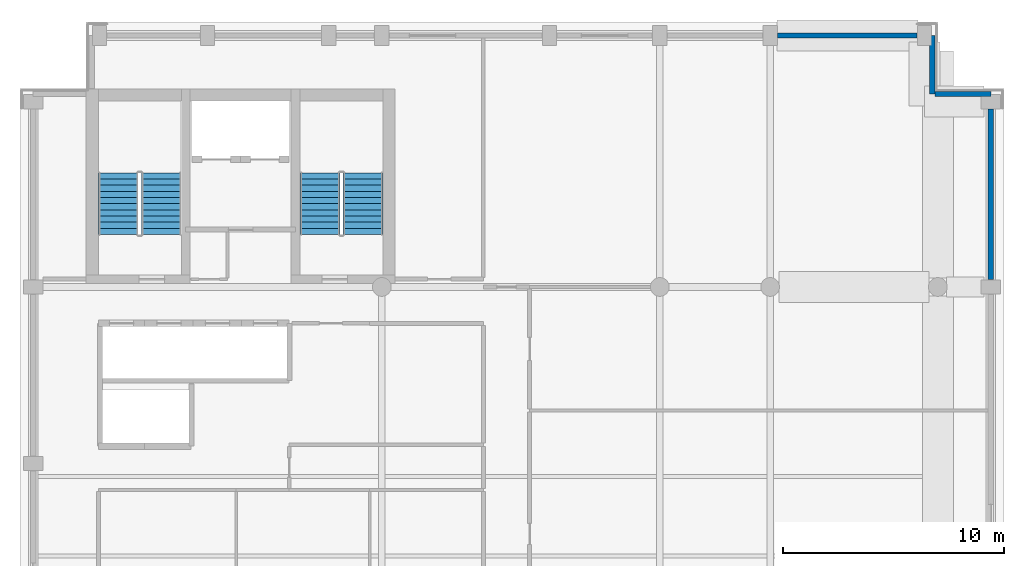
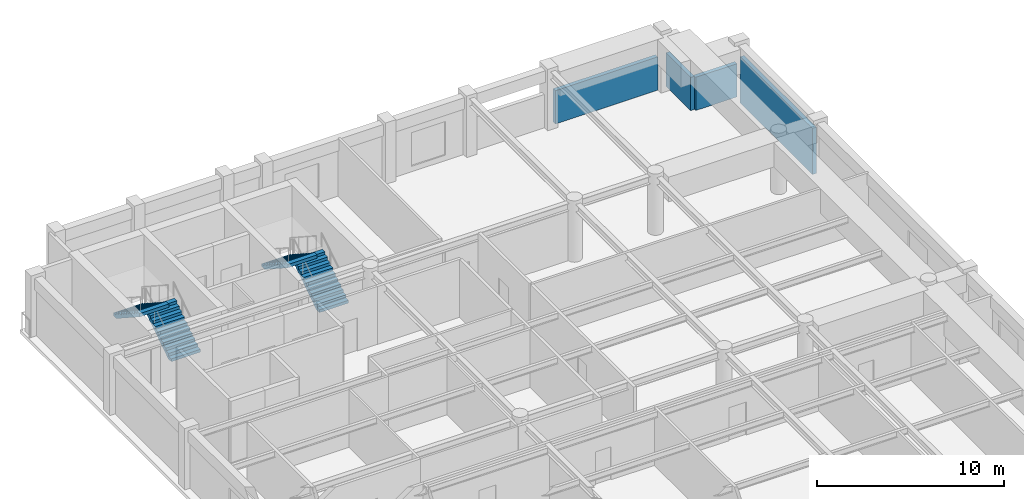
# One storey, part 5 of 8: 4 stair flights, 4 walls, 2 elements without a shape of their own.
"""IFC4 building model written with IfcOpenShell, lengths in metres."""

from ifc_helpers import new_model, si_unit, direction, frame, frame_2d, origin, place, context, subcontext, project, spatial, polyline, rectangle, outline, extrude, material, layer, layer_set, type_object, element, aggregate, save


model = new_model("IFC4")

# Units and contexts
model_context = context("Model", 3, precision=1e-05, world=origin(), true_north=direction((0.0, 1.0)))
body_context = subcontext(model_context, "Body", "Model", "MODEL_VIEW")
ifc_project = project(units=[si_unit("LENGTHUNIT", "METRE"), si_unit("AREAUNIT", "SQUARE_METRE"), si_unit("VOLUMEUNIT", "CUBIC_METRE"), si_unit("PLANEANGLEUNIT", "RADIAN"), si_unit("MASSUNIT", "GRAM", prefix="KILO")], contexts=[model_context])

# Site, building, storey
site_placement = place(None, origin())
site = spatial("IfcSite", under=ifc_project, at=site_placement, CompositionType="ELEMENT")
building_placement = place(site_placement, origin())
building = spatial("IfcBuilding", under=site, at=building_placement, Name="Sulina Concourse Tower", CompositionType="ELEMENT")
storey_placement = place(building_placement, frame((0.0, 0.0, 293.0)))
storey = spatial("IfcBuildingStorey", under=building, at=storey_placement, Name="L71", CompositionType="ELEMENT", Elevation=293.0)

# Walls
ifc_material_1 = material(Name="Precast concrete C50/60", Category="concrete")
ifc_layer = layer(ifc_material_1, 0.239990234375)
ifc_layer_set = layer_set([ifc_layer], Name="Precast concrete C50/60")
wall_type = type_object("IfcWallType", Name="Crown Precast Masonry-Frame Facade Wall 240mm", PredefinedType="SOLIDWALL", material=ifc_layer_set)
wall_1_placement = place(storey_placement, frame((34.344970703125, 45.39990234375, 0.0), z_axis=(0.0, 0.0, 1.0), x_axis=(1.0, 0.0, 0.0)))
element("IfcWall", 1, at=wall_1_placement, inside=storey, type_object=wall_type, Name="L71 exterior precast wall N7", PredefinedType="SOLIDWALL", context=body_context, shape_type="SweptSolid", body=[
    extrude(rectangle(XDim=6.31005859375, YDim=0.239990234375, at=frame_2d((3.155029296875, 0.0))), origin(), (0.0, 0.0, 1.0), 2.175048828125),
])
wall_2_placement = place(storey_placement, frame((44.0, 42.054931640625, 0.0), z_axis=(0.0, 0.0, 1.0), x_axis=(0.0, -1.0, 0.0)))
element("IfcWall", 2, at=wall_2_placement, inside=storey, type_object=wall_type, Name="L71 exterior precast wall E3", PredefinedType="SOLIDWALL", context=body_context, shape_type="SweptSolid", body=[
    extrude(rectangle(XDim=7.7099609375, YDim=0.239990234375, at=frame_2d((3.85498046875, 0.0))), origin(), (0.0, 0.0, 1.0), 3.014892578125),
])
wall_3_placement = place(storey_placement, frame((41.344970703125, 45.39990234375, 0.0), z_axis=(0.0, 0.0, 1.0), x_axis=(0.0, -1.0, 0.0)))
element("IfcWall", 3, at=wall_3_placement, inside=storey, type_object=wall_type, Name="L71 exterior precast wall CNE1", PredefinedType="SOLIDWALL", context=body_context, shape_type="SweptSolid", body=[
    extrude(rectangle(XDim=2.65478515625, YDim=0.239990234375, at=frame_2d((1.327392578125, 0.0))), origin(), (0.0, 0.0, 1.0), 2.1650390625),
])
wall_4_placement = place(storey_placement, frame((41.469970703125, 42.7451171875, 0.0), z_axis=(0.0, 0.0, 1.0), x_axis=(1.0, 0.0, 0.0)))
element("IfcWall", 4, at=wall_4_placement, inside=storey, type_object=wall_type, Name="L71 exterior precast wall CNE2", PredefinedType="SOLIDWALL", context=body_context, shape_type="SweptSolid", body=[
    extrude(rectangle(XDim=2.530029296875, YDim=0.239990234375, at=frame_2d((1.26513671875, 0.0))), origin(), (0.0, 0.0, 1.0), 2.1650390625),
])

# Stair, stair flights
ifc_material_2 = material(Name="Concrete C50/60", Category="concrete")
stair_type = type_object("IfcStairType", Name="Primary Core Dog-Leg Exit Stair 1800mm", PredefinedType="HALF_TURN_STAIR", material=ifc_material_2)
stair_1_placement = place(storey_placement, origin())
stair_1 = element("IfcStair", 5, at=stair_1_placement, inside=storey, type_object=stair_type, Name="L71 ST-1", PredefinedType="HALF_TURN_STAIR")
ifc_material_3 = material(Name="Concrete C50/60", Category="concrete")
stair_flight_type = type_object("IfcStairFlightType", Name="Primary Core Dog-Leg Exit Stair 1800mm Flight", PredefinedType="STRAIGHT", material=ifc_material_3)
stair_flight_1_placement = place(storey_placement, frame((6.405029296875, 36.375, 0.0), z_axis=(0.0, 0.0, 1.0), x_axis=(0.0, 1.0, 0.0)))
stair_flight_1 = element("IfcStairFlight", 6, at=stair_flight_1_placement, type_object=stair_flight_type, Name="ST-1 flight 1", NumberOfRisers=11, NumberOfTreads=10, PredefinedType="STRAIGHT", RiserHeight=0.181818182, TreadLength=0.28, context=body_context, shape_type="SweptSolid", body=[
    extrude(outline(polyline([(0.0, 0.0), (0.0, 0.181884765625), (0.280029296875, 0.181884765625), (0.280029296875, 0.363525390625), (0.56005859375, 0.363525390625), (0.56005859375, 0.54541015625), (0.840087890625, 0.54541015625), (0.840087890625, 0.727294921875), (1.1201171875, 0.727294921875), (1.1201171875, 0.9091796875), (1.39990234375, 0.9091796875), (1.39990234375, 1.0908203125), (1.679931640625, 1.0908203125), (1.679931640625, 1.272705078125), (1.9599609375, 1.272705078125), (1.9599609375, 1.45458984375), (2.239990234375, 1.45458984375), (2.239990234375, 1.636474609375), (2.52001953125, 1.636474609375), (2.52001953125, 1.818115234375), (2.800048828125, 1.818115234375), (2.800048828125, 2.0), (2.800048828125, 1.603759765625), (0.330322265625, 0.0), (0.0, 0.0)])), frame((0.0, 0.89990234375, 0.0), z_axis=(0.0, -1.0, 0.0), x_axis=(1.0, 0.0, 0.0)), (0.0, 0.0, 1.0), 1.800048828125),
])
stair_flight_2_placement = place(storey_placement, frame((4.455078125, 39.175048828125, 2.0), z_axis=(0.0, 0.0, 1.0), x_axis=(0.0, -1.0, 0.0)))
stair_flight_2 = element("IfcStairFlight", 7, at=stair_flight_2_placement, type_object=stair_flight_type, Name="ST-1 flight 2", NumberOfRisers=11, NumberOfTreads=10, PredefinedType="STRAIGHT", RiserHeight=0.181818182, TreadLength=0.28, context=body_context, shape_type="SweptSolid", body=[
    extrude(outline(polyline([(0.0, 0.0), (0.0, 0.181884765625), (0.280029296875, 0.181884765625), (0.280029296875, 0.363525390625), (0.56005859375, 0.363525390625), (0.56005859375, 0.54541015625), (0.840087890625, 0.54541015625), (0.840087890625, 0.727294921875), (1.1201171875, 0.727294921875), (1.1201171875, 0.9091796875), (1.39990234375, 0.9091796875), (1.39990234375, 1.0908203125), (1.679931640625, 1.0908203125), (1.679931640625, 1.272705078125), (1.9599609375, 1.272705078125), (1.9599609375, 1.45458984375), (2.239990234375, 1.45458984375), (2.239990234375, 1.636474609375), (2.52001953125, 1.636474609375), (2.52001953125, 1.818115234375), (2.800048828125, 1.818115234375), (2.800048828125, 2.0), (2.800048828125, 1.603759765625), (0.330322265625, 0.0), (0.0, 0.0)])), frame((0.0, 0.89990234375, 0.0), z_axis=(0.0, -1.0, 0.0), x_axis=(1.0, 0.0, 0.0)), (0.0, 0.0, 1.0), 1.800048828125),
])
aggregate(stair_1, [stair_flight_1, stair_flight_2])

stair_2_placement = place(storey_placement, origin())
stair_2 = element("IfcStair", 8, at=stair_2_placement, inside=storey, type_object=stair_type, Name="L71 ST-2", PredefinedType="HALF_TURN_STAIR")
stair_flight_3_placement = place(storey_placement, frame((15.544921875, 36.375, 0.0), z_axis=(0.0, 0.0, 1.0), x_axis=(0.0, 1.0, 0.0)))
stair_flight_3 = element("IfcStairFlight", 9, at=stair_flight_3_placement, type_object=stair_flight_type, Name="ST-2 flight 1", NumberOfRisers=11, NumberOfTreads=10, PredefinedType="STRAIGHT", RiserHeight=0.181818182, TreadLength=0.28, context=body_context, shape_type="SweptSolid", body=[
    extrude(outline(polyline([(0.0, 0.0), (0.0, 0.181884765625), (0.280029296875, 0.181884765625), (0.280029296875, 0.363525390625), (0.56005859375, 0.363525390625), (0.56005859375, 0.54541015625), (0.840087890625, 0.54541015625), (0.840087890625, 0.727294921875), (1.1201171875, 0.727294921875), (1.1201171875, 0.9091796875), (1.39990234375, 0.9091796875), (1.39990234375, 1.0908203125), (1.679931640625, 1.0908203125), (1.679931640625, 1.272705078125), (1.9599609375, 1.272705078125), (1.9599609375, 1.45458984375), (2.239990234375, 1.45458984375), (2.239990234375, 1.636474609375), (2.52001953125, 1.636474609375), (2.52001953125, 1.818115234375), (2.800048828125, 1.818115234375), (2.800048828125, 2.0), (2.800048828125, 1.603759765625), (0.330322265625, 0.0), (0.0, 0.0)])), frame((0.0, 0.89990234375, 0.0), z_axis=(0.0, -1.0, 0.0), x_axis=(1.0, 0.0, 0.0)), (0.0, 0.0, 1.0), 1.800048828125),
])
stair_flight_4_placement = place(storey_placement, frame((13.594970703125, 39.175048828125, 2.0), z_axis=(0.0, 0.0, 1.0), x_axis=(0.0, -1.0, 0.0)))
stair_flight_4 = element("IfcStairFlight", 10, at=stair_flight_4_placement, type_object=stair_flight_type, Name="ST-2 flight 2", NumberOfRisers=11, NumberOfTreads=10, PredefinedType="STRAIGHT", RiserHeight=0.181818182, TreadLength=0.28, context=body_context, shape_type="SweptSolid", body=[
    extrude(outline(polyline([(0.0, 0.0), (0.0, 0.181884765625), (0.280029296875, 0.181884765625), (0.280029296875, 0.363525390625), (0.56005859375, 0.363525390625), (0.56005859375, 0.54541015625), (0.840087890625, 0.54541015625), (0.840087890625, 0.727294921875), (1.1201171875, 0.727294921875), (1.1201171875, 0.9091796875), (1.39990234375, 0.9091796875), (1.39990234375, 1.0908203125), (1.679931640625, 1.0908203125), (1.679931640625, 1.272705078125), (1.9599609375, 1.272705078125), (1.9599609375, 1.45458984375), (2.239990234375, 1.45458984375), (2.239990234375, 1.636474609375), (2.52001953125, 1.636474609375), (2.52001953125, 1.818115234375), (2.800048828125, 1.818115234375), (2.800048828125, 2.0), (2.800048828125, 1.603759765625), (0.330322265625, 0.0), (0.0, 0.0)])), frame((0.0, 0.89990234375, 0.0), z_axis=(0.0, -1.0, 0.0), x_axis=(1.0, 0.0, 0.0)), (0.0, 0.0, 1.0), 1.800048828125),
])
aggregate(stair_2, [stair_flight_3, stair_flight_4])

save(model, "model.ifc")
